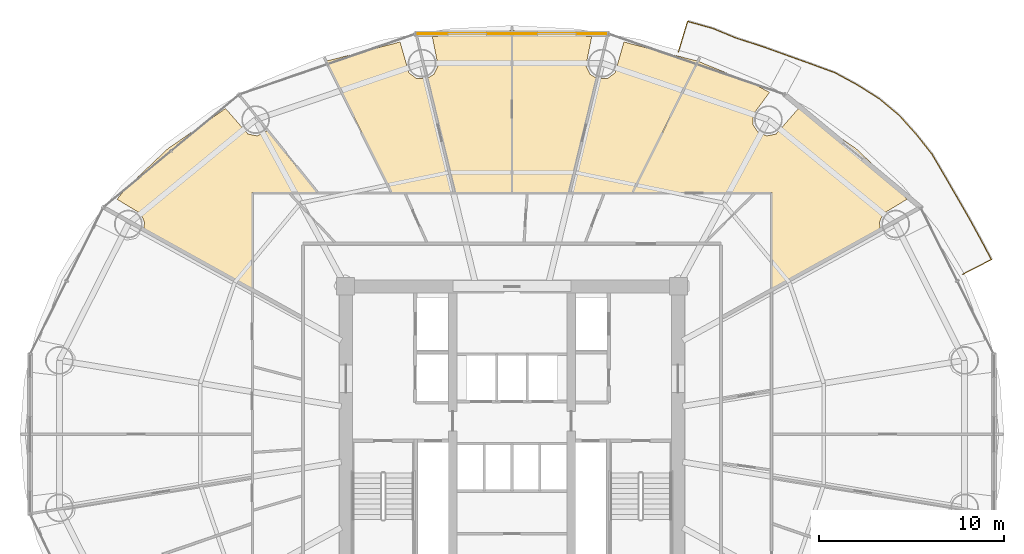
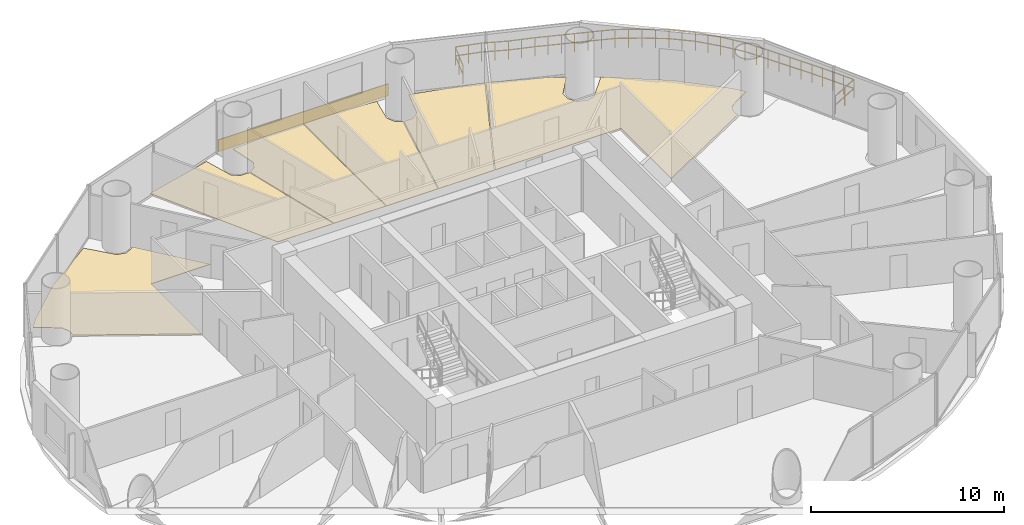
# One storey, part 29 of 29: 7 coverings, 1 railing.
"""IFC4 building model written with IfcOpenShell, lengths in metres."""

import ifcopenshell
import ifcopenshell.guid

model = None  # the IFC model being written
_history = None  # IfcOwnerHistory: only IFC2X3 demands one
_inside = {}  # id of a spatial element -> (the spatial element, [elements in it])
_under = {}  # id of a project, library or spatial element -> (it, [spatial elements below it])
_declared = {}  # id of a project -> (the project, [libraries it declares])
_typed = {}  # id of a type object -> (the type object, [elements of that type])
_made_of = {}  # id of a material, layer set ... -> (it, [elements and type objects made of it])


def new_model(schema):
    """Start an empty IFC model of exactly this schema.

    Asked for "IFC4X3", IfcOpenShell would pick the latest addendum, in which some entities
    have other attributes; the version numbers below select the first issue.
    IFC2X3 requires an IfcOwnerHistory on every rooted entity: one is made here for all.
    """
    global model, _history
    if schema == "IFC4X3":
        model = ifcopenshell.file(schema_version=(4, 3, 0, 0))
    else:
        model = ifcopenshell.file(schema=schema)
    _inside.clear()
    _under.clear()
    _declared.clear()
    _typed.clear()
    _made_of.clear()
    _history = None
    if model.schema == "IFC2X3":
        org = make("IfcOrganization", Name="unknown")
        user = make(
            "IfcPersonAndOrganization",
            ThePerson=make("IfcPerson", FamilyName="unknown"),
            TheOrganization=org,
        )
        app = make(
            "IfcApplication",
            ApplicationDeveloper=org,
            Version="unknown",
            ApplicationFullName="unknown",
            ApplicationIdentifier="unknown",
        )
        _history = make(
            "IfcOwnerHistory",
            OwningUser=user,
            OwningApplication=app,
            ChangeAction="ADDED",
            CreationDate=0,
        )
    return model


def make(cls, **values):
    """One entity of the class cls with the attributes given. An attribute that is None is left unset."""
    return model.create_entity(
        cls, **{name: value for name, value in values.items() if value is not None}
    )


def rooted(cls, **values):
    """An entity with a GlobalId (a new one), such as an element, a storey or a relation."""
    return make(cls, GlobalId=ifcopenshell.guid.new(), OwnerHistory=_history, **values)


def si_unit(unit_type, name, prefix=None):
    """IfcSIUnit, for example si_unit("LENGTHUNIT", "METRE", prefix="MILLI")."""
    return make("IfcSIUnit", UnitType=unit_type, Prefix=prefix, Name=name)


def assignment(units):
    """IfcUnitAssignment: the units of a project."""
    return None if units is None else make("IfcUnitAssignment", Units=units)


def point(xyz):
    """IfcCartesianPoint."""
    return None if xyz is None else make("IfcCartesianPoint", Coordinates=xyz)


def direction(xyz):
    """IfcDirection."""
    return None if xyz is None else make("IfcDirection", DirectionRatios=xyz)


def frame(location, z_axis=None, x_axis=None):
    """IfcAxis2Placement3D, a coordinate frame: its origin and axes. An axis left out is left unset."""
    return make(
        "IfcAxis2Placement3D",
        Location=point(location),
        Axis=direction(z_axis),
        RefDirection=direction(x_axis),
    )


def frame_2d(location, x_axis=None):
    """IfcAxis2Placement2D, a coordinate frame in the plane: its origin and x axis."""
    return make(
        "IfcAxis2Placement2D", Location=point(location), RefDirection=direction(x_axis)
    )


def origin():
    """The frame at (0, 0, 0) with its axes left unset."""
    return frame((0.0, 0.0, 0.0))


def origin_2d():
    """The frame at (0, 0) in the plane with its x axis left unset."""
    return frame_2d((0.0, 0.0))


def place(relative_to, where):
    """IfcLocalPlacement: puts the frame where relative to a parent placement (None: the world)."""
    return make(
        "IfcLocalPlacement", PlacementRelTo=relative_to, RelativePlacement=where
    )


def context(
    kind, dimensions, precision=None, world=None, true_north=None, identifier=None
):
    """IfcGeometricRepresentationContext, for example the 3D "Model" context."""
    return make(
        "IfcGeometricRepresentationContext",
        ContextIdentifier=identifier,
        ContextType=kind,
        CoordinateSpaceDimension=dimensions,
        Precision=precision,
        WorldCoordinateSystem=world,
        TrueNorth=true_north,
    )


def subcontext(parent, identifier, kind, view, scale=None):
    """IfcGeometricRepresentationSubContext, for example "Body" below "Model"."""
    return make(
        "IfcGeometricRepresentationSubContext",
        ContextIdentifier=identifier,
        ContextType=kind,
        ParentContext=parent,
        TargetScale=scale,
        TargetView=view,
    )


def project(units=None, contexts=None):
    """IfcProject with its units and contexts."""
    return rooted(
        "IfcProject",
        Name="project",
        RepresentationContexts=contexts,
        UnitsInContext=assignment(units),
    )


def spatial(cls, under=None, at=None, **own):
    """A site, building, storey or space (cls), placed at a placement, below another one or the project."""
    s = rooted(cls, ObjectPlacement=at, **own)
    if under is not None:
        _under.setdefault(under.id(), (under, []))[1].append(s)
    return s


def polyline(points):
    """IfcPolyline through the points."""
    return make("IfcPolyline", Points=[point(p) for p in points])


def profile(cls, at=None, kind="AREA", **sizes):
    """A parametric profile (cls). Its sizes go by their IFC names, for example OverallWidth=200.0."""
    return make(cls, ProfileType=kind, Position=at, **sizes)


def rectangle(**sizes):
    """IfcRectangleProfileDef."""
    return profile("IfcRectangleProfileDef", **sizes)


def outline(outer, holes=None, kind="AREA"):
    """IfcArbitraryClosedProfileDef: a profile drawn as a closed curve; with holes, ...WithVoids."""
    if holes is None:
        return make("IfcArbitraryClosedProfileDef", ProfileType=kind, OuterCurve=outer)
    return make(
        "IfcArbitraryProfileDefWithVoids",
        ProfileType=kind,
        OuterCurve=outer,
        InnerCurves=holes,
    )


def extrude(swept, where, along, depth):
    """IfcExtrudedAreaSolid: the profile swept, set in the frame where, extruded along a direction by depth."""
    return make(
        "IfcExtrudedAreaSolid",
        SweptArea=swept,
        Position=where,
        ExtrudedDirection=direction(along),
        Depth=depth,
    )


def shape(context_of_items, identifier, shape_type, items):
    """IfcShapeRepresentation: the items that make up one representation, for example the "Body"."""
    return make(
        "IfcShapeRepresentation",
        ContextOfItems=context_of_items,
        RepresentationIdentifier=identifier,
        RepresentationType=shape_type,
        Items=items,
    )


def source(mapping_origin, context_of_items, identifier, shape_type, items):
    """IfcRepresentationMap: a shape defined once, which mapped items show again and again."""
    return make(
        "IfcRepresentationMap",
        MappingOrigin=mapping_origin,
        MappedRepresentation=shape(context_of_items, identifier, shape_type, items),
    )


def transform(
    local_origin,
    x_axis=None,
    y_axis=None,
    z_axis=None,
    scale=None,
    scale2=None,
    scale3=None,
    uniform=True,
):
    """IfcCartesianTransformationOperator3D, or its non-uniform kind. x_axis, y_axis, z_axis: its Axis1, 2, 3."""
    if uniform:
        return make(
            "IfcCartesianTransformationOperator3D",
            Axis1=direction(x_axis),
            Axis2=direction(y_axis),
            LocalOrigin=point(local_origin),
            Scale=scale,
            Axis3=direction(z_axis),
        )
    return make(
        "IfcCartesianTransformationOperator3DnonUniform",
        Axis1=direction(x_axis),
        Axis2=direction(y_axis),
        LocalOrigin=point(local_origin),
        Scale=scale,
        Axis3=direction(z_axis),
        Scale2=scale2,
        Scale3=scale3,
    )


def mapped(mapping_source, mapping_target):
    """IfcMappedItem: shows the shape of a source again, moved by a transform."""
    return make(
        "IfcMappedItem", MappingSource=mapping_source, MappingTarget=mapping_target
    )


def material(Name=None, Category=None):
    """IfcMaterial."""
    return make("IfcMaterial", Name=Name, Category=Category)


def layer(
    of_material, thickness, ventilated=None, Name=None, Category=None, Priority=None
):
    """IfcMaterialLayer: one layer of a wall or slab, of a material (None: an air gap)."""
    return make(
        "IfcMaterialLayer",
        Material=of_material,
        LayerThickness=thickness,
        IsVentilated=ventilated,
        Name=Name,
        Category=Category,
        Priority=Priority,
    )


def layer_set(layers, Name=None):
    """IfcMaterialLayerSet."""
    return make("IfcMaterialLayerSet", MaterialLayers=layers, LayerSetName=Name)


def made_of(thing, what):
    """Note that an element or type object is made of a material, layer set ...; save() writes the relation."""
    if what is not None:
        _made_of.setdefault(what.id(), (what, []))[1].append(thing)
    return thing


def type_object(cls, material=None, **own):
    """A type object (cls), such as IfcWallType, which elements share."""
    return made_of(rooted(cls, **own), material)


def element(
    cls,
    number,
    at=None,
    inside=None,
    cuts=None,
    type_object=None,
    material=None,
    context=None,
    identifier="Body",
    shape_type=None,
    held_by="IfcProductDefinitionShape",
    body=None,
    shapes=None,
    **own,
):
    """One element of the class cls, such as IfcWall. Its Tag is "e" and its number.

    at: its placement. inside: the storey or other place that contains it. cuts: it is an
    opening in that element (IfcRelVoidsElement). A single representation is given by context,
    identifier, shape_type and body (its items); several are given by shapes. held_by: the class
    of the entity that holds the representations. save() writes the other relations.
    """
    e = rooted(cls, Tag="e%d" % number, ObjectPlacement=at, **own)
    if body is not None:
        shapes = [shape(context, identifier, shape_type, body)]
    if shapes is not None:
        e.Representation = make(held_by, Representations=shapes)
    if inside is not None:
        _inside.setdefault(inside.id(), (inside, []))[1].append(e)
    if cuts is not None:
        rooted(
            "IfcRelVoidsElement", RelatingBuildingElement=cuts, RelatedOpeningElement=e
        )
    if type_object is not None:
        _typed.setdefault(type_object.id(), (type_object, []))[1].append(e)
    return made_of(e, material)


def aggregate(whole, parts):
    """IfcRelAggregates: a whole, such as a stair, and the parts it consists of."""
    return rooted("IfcRelAggregates", RelatingObject=whole, RelatedObjects=parts)


def save(model, path):
    """Write the relations noted so far, then the file.

    IfcRelAggregates (storeys below a building ...), IfcRelContainedInSpatialStructure (elements
    in a storey), IfcRelDefinesByType, IfcRelAssociatesMaterial and IfcRelDeclares: one each for
    every whole, place, type object, material and project.
    """
    for whole, parts in _under.values():
        aggregate(whole, parts)
    for where, things in _inside.values():
        rooted(
            "IfcRelContainedInSpatialStructure",
            RelatedElements=things,
            RelatingStructure=where,
        )
    for kind, things in _typed.values():
        rooted("IfcRelDefinesByType", RelatedObjects=things, RelatingType=kind)
    for what, things in _made_of.values():
        rooted("IfcRelAssociatesMaterial", RelatedObjects=things, RelatingMaterial=what)
    for by, libraries in _declared.values():
        rooted("IfcRelDeclares", RelatingContext=by, RelatedDefinitions=libraries)
    model.write(path)


model = new_model("IFC4")

# Units and contexts
model_context = context("Model", 3, precision=1e-05, world=origin(), true_north=direction((-0.2419218956, 0.970295726276)))
body_context = subcontext(model_context, "Body", "Model", "MODEL_VIEW")
ifc_project = project(units=[si_unit("LENGTHUNIT", "METRE"), si_unit("AREAUNIT", "SQUARE_METRE"), si_unit("VOLUMEUNIT", "CUBIC_METRE"), si_unit("PLANEANGLEUNIT", "RADIAN"), si_unit("MASSUNIT", "GRAM", prefix="KILO")], contexts=[model_context])

# Site, building, storey
site_placement = place(None, origin())
site = spatial("IfcSite", under=ifc_project, at=site_placement, CompositionType="ELEMENT")
building_placement = place(site_placement, origin())
building = spatial("IfcBuilding", under=site, at=building_placement, Name="Cobrevalo Terracotta Tower", CompositionType="ELEMENT")
storey_placement = place(building_placement, frame((0.0, 0.0, 94.199951171875)))
storey = spatial("IfcBuildingStorey", under=building, at=storey_placement, Name="L24", CompositionType="ELEMENT", Elevation=94.199951171875)

# Railing
ifc_material_1 = material(Name="Laminated structural glass and stainless steel", Category="steel")
railing_type = type_object("IfcRailingType", Name="Balcony lobe structural glass & terracotta-cap balustrade 1180 mm", PredefinedType="BALUSTRADE", material=ifc_material_1)
railing_placement = place(storey_placement, frame((62.36376953125, 35.4404296875, 0.0)))
element("IfcRailing", 1, at=railing_placement, inside=storey, type_object=railing_type, Name="L24 spiralling balcony lobe balustrade 1", PredefinedType="BALUSTRADE", context=body_context, shape_type="SweptSolid", body=[
    extrude(rectangle(XDim=0.048095703125, YDim=0.048095703125, at=origin_2d()), frame((0.0, 0.0, 1.15576171875), z_axis=(0.889626848492, 0.456688154479, 0.0), x_axis=(-0.456688154479, 0.889626848492, 0.0)), (0.0, 0.0, 1.0), 1.74755859375),
    extrude(rectangle(XDim=0.048095703125, YDim=0.048095703125, at=origin_2d()), frame((0.0, 0.0, 0.58984375), z_axis=(0.889626848492, 0.456688154479, 0.0), x_axis=(-0.456688154479, 0.889626848492, 0.0)), (0.0, 0.0, 1.0), 1.74755859375),
    extrude(rectangle(XDim=0.048095703125, YDim=0.048095703125, at=origin_2d()), frame((1.5546875, 0.798095703125, 1.15576171875), z_axis=(-0.468633662304, 0.883392602729, 0.0), x_axis=(-0.883392602729, -0.468633662304, 0.0)), (0.0, 0.0, 1.0), 1.27783203125),
    extrude(rectangle(XDim=0.048095703125, YDim=0.048095703125, at=origin_2d()), frame((1.5546875, 0.798095703125, 0.58984375), z_axis=(-0.468633662304, 0.883392602729, 0.0), x_axis=(-0.883392602729, -0.468633662304, 0.0)), (0.0, 0.0, 1.0), 1.27783203125),
    extrude(rectangle(XDim=0.048095703125, YDim=0.048095703125, at=origin_2d()), frame((0.955810546875, 1.927001953125, 1.15576171875), z_axis=(-0.480426273641, 0.877035116512, 0.0), x_axis=(-0.877035116512, -0.480426273641, 0.0)), (0.0, 0.0, 1.0), 1.28173828125),
    extrude(rectangle(XDim=0.048095703125, YDim=0.048095703125, at=origin_2d()), frame((0.955810546875, 1.927001953125, 0.58984375), z_axis=(-0.480426273641, 0.877035116512, 0.0), x_axis=(-0.877035116512, -0.480426273641, 0.0)), (0.0, 0.0, 1.0), 1.28173828125),
    extrude(rectangle(XDim=0.048095703125, YDim=0.048095703125, at=origin_2d()), frame((0.340087890625, 3.051025390625, 1.15576171875), z_axis=(-0.499906209203, 0.866079547155, 0.0), x_axis=(-0.866079547155, -0.499906209203, 0.0)), (0.0, 0.0, 1.0), 1.303466796875),
    extrude(rectangle(XDim=0.048095703125, YDim=0.048095703125, at=origin_2d()), frame((0.340087890625, 3.051025390625, 0.58984375), z_axis=(-0.499906209203, 0.866079547155, 0.0), x_axis=(-0.866079547155, -0.499906209203, 0.0)), (0.0, 0.0, 1.0), 1.303466796875),
    extrude(rectangle(XDim=0.048095703125, YDim=0.048095703125, at=origin_2d()), frame((-0.3115234375, 4.179931640625, 1.15576171875), z_axis=(-0.499727743486, 0.866182534106, 0.0), x_axis=(-0.866182534106, -0.499727743486, 0.0)), (0.0, 0.0, 1.0), 1.331787109375),
    extrude(rectangle(XDim=0.048095703125, YDim=0.048095703125, at=origin_2d()), frame((-0.3115234375, 4.179931640625, 0.58984375), z_axis=(-0.499727743486, 0.866182534106, 0.0), x_axis=(-0.866182534106, -0.499727743486, 0.0)), (0.0, 0.0, 1.0), 1.331787109375),
    extrude(rectangle(XDim=0.048095703125, YDim=0.048095703125, at=origin_2d()), frame((-0.97705078125, 5.33349609375, 1.15576171875), z_axis=(-0.505608393494, 0.862763091717, 0.0), x_axis=(-0.862763091717, -0.505608393494, 0.0)), (0.0, 0.0, 1.0), 1.353515625),
    extrude(rectangle(XDim=0.048095703125, YDim=0.048095703125, at=origin_2d()), frame((-0.97705078125, 5.33349609375, 0.58984375), z_axis=(-0.505608393494, 0.862763091717, 0.0), x_axis=(-0.862763091717, -0.505608393494, 0.0)), (0.0, 0.0, 1.0), 1.353515625),
    extrude(rectangle(XDim=0.048095703125, YDim=0.048095703125, at=origin_2d()), frame((-1.661376953125, 6.501220703125, 1.15576171875), z_axis=(-0.621673458904, 0.783276522369, 0.0), x_axis=(-0.783276522369, -0.621673458904, 0.0)), (0.0, 0.0, 1.0), 1.371826171875),
    extrude(rectangle(XDim=0.048095703125, YDim=0.048095703125, at=origin_2d()), frame((-1.661376953125, 6.501220703125, 0.58984375), z_axis=(-0.621673458904, 0.783276522369, 0.0), x_axis=(-0.783276522369, -0.621673458904, 0.0)), (0.0, 0.0, 1.0), 1.371826171875),
    extrude(rectangle(XDim=0.048095703125, YDim=0.048095703125, at=origin_2d()), frame((-2.51416015625, 7.57568359375, 1.15576171875), z_axis=(-0.667846757462, 0.744298803269, 0.0), x_axis=(-0.744298803269, -0.667846757462, 0.0)), (0.0, 0.0, 1.0), 1.37646484375),
    extrude(rectangle(XDim=0.048095703125, YDim=0.048095703125, at=origin_2d()), frame((-2.51416015625, 7.57568359375, 0.58984375), z_axis=(-0.667846757462, 0.744298803269, 0.0), x_axis=(-0.744298803269, -0.667846757462, 0.0)), (0.0, 0.0, 1.0), 1.37646484375),
    extrude(rectangle(XDim=0.048095703125, YDim=0.048095703125, at=origin_2d()), frame((-3.433349609375, 8.60009765625, 1.15576171875), z_axis=(-0.767483730811, 0.641068422979, 0.0), x_axis=(-0.641068422979, -0.767483730811, 0.0)), (0.0, 0.0, 1.0), 1.384765625),
    extrude(rectangle(XDim=0.048095703125, YDim=0.048095703125, at=origin_2d()), frame((-3.433349609375, 8.60009765625, 0.58984375), z_axis=(-0.767483730811, 0.641068422979, 0.0), x_axis=(-0.641068422979, -0.767483730811, 0.0)), (0.0, 0.0, 1.0), 1.384765625),
    extrude(rectangle(XDim=0.048095703125, YDim=0.048095703125, at=origin_2d()), frame((-4.49609375, 9.48779296875, 1.15576171875), z_axis=(-0.84485848449, 0.534989851479, 0.0), x_axis=(-0.534989851479, -0.84485848449, 0.0)), (0.0, 0.0, 1.0), 1.400146484375),
    extrude(rectangle(XDim=0.048095703125, YDim=0.048095703125, at=origin_2d()), frame((-4.49609375, 9.48779296875, 0.58984375), z_axis=(-0.84485848449, 0.534989851479, 0.0), x_axis=(-0.534989851479, -0.84485848449, 0.0)), (0.0, 0.0, 1.0), 1.400146484375),
    extrude(rectangle(XDim=0.048095703125, YDim=0.048095703125, at=origin_2d()), frame((-5.678955078125, 10.23681640625, 1.15576171875), z_axis=(-0.87876519777, 0.477254363194, 0.0), x_axis=(-0.477254363194, -0.87876519777, 0.0)), (0.0, 0.0, 1.0), 1.392333984375),
    extrude(rectangle(XDim=0.048095703125, YDim=0.048095703125, at=origin_2d()), frame((-5.678955078125, 10.23681640625, 0.58984375), z_axis=(-0.87876519777, 0.477254363194, 0.0), x_axis=(-0.477254363194, -0.87876519777, 0.0)), (0.0, 0.0, 1.0), 1.392333984375),
    extrude(rectangle(XDim=0.048095703125, YDim=0.048095703125, at=origin_2d()), frame((-6.902587890625, 10.9013671875, 1.15576171875), z_axis=(-0.939278688067, 0.343155279929, 0.0), x_axis=(-0.343155279929, -0.939278688067, 0.0)), (0.0, 0.0, 1.0), 1.42919921875),
    extrude(rectangle(XDim=0.048095703125, YDim=0.048095703125, at=origin_2d()), frame((-6.902587890625, 10.9013671875, 0.58984375), z_axis=(-0.939278688067, 0.343155279929, 0.0), x_axis=(-0.343155279929, -0.939278688067, 0.0)), (0.0, 0.0, 1.0), 1.42919921875),
    extrude(rectangle(XDim=0.048095703125, YDim=0.048095703125, at=origin_2d()), frame((-8.2451171875, 11.391845703125, 1.15576171875), z_axis=(-0.941348762324, 0.337435190328, 0.0), x_axis=(-0.337435190328, -0.941348762324, 0.0)), (0.0, 0.0, 1.0), 1.4072265625),
    extrude(rectangle(XDim=0.048095703125, YDim=0.048095703125, at=origin_2d()), frame((-8.2451171875, 11.391845703125, 0.58984375), z_axis=(-0.941348762324, 0.337435190328, 0.0), x_axis=(-0.337435190328, -0.941348762324, 0.0)), (0.0, 0.0, 1.0), 1.4072265625),
    extrude(rectangle(XDim=0.048095703125, YDim=0.048095703125, at=origin_2d()), frame((-9.56982421875, 11.86669921875, 1.15576171875), z_axis=(-0.94131427038, 0.33753139762, 0.0), x_axis=(-0.33753139762, -0.94131427038, 0.0)), (0.0, 0.0, 1.0), 1.3974609375),
    extrude(rectangle(XDim=0.048095703125, YDim=0.048095703125, at=origin_2d()), frame((-9.56982421875, 11.86669921875, 0.58984375), z_axis=(-0.94131427038, 0.33753139762, 0.0), x_axis=(-0.33753139762, -0.94131427038, 0.0)), (0.0, 0.0, 1.0), 1.3974609375),
    extrude(rectangle(XDim=0.048095703125, YDim=0.048095703125, at=origin_2d()), frame((-10.88525390625, 12.33837890625, 1.15576171875), z_axis=(-0.952605632401, 0.304208003048, 0.0), x_axis=(-0.304208003048, -0.952605632401, 0.0)), (0.0, 0.0, 1.0), 1.404541015625),
    extrude(rectangle(XDim=0.048095703125, YDim=0.048095703125, at=origin_2d()), frame((-10.88525390625, 12.33837890625, 0.58984375), z_axis=(-0.952605632401, 0.304208003048, 0.0), x_axis=(-0.304208003048, -0.952605632401, 0.0)), (0.0, 0.0, 1.0), 1.404541015625),
    extrude(rectangle(XDim=0.048095703125, YDim=0.048095703125, at=origin_2d()), frame((-12.22314453125, 12.765625, 1.15576171875), z_axis=(-0.92446405432, 0.381269212329, 0.0), x_axis=(-0.381269212329, -0.92446405432, 0.0)), (0.0, 0.0, 1.0), 1.39453125),
    extrude(rectangle(XDim=0.048095703125, YDim=0.048095703125, at=origin_2d()), frame((-12.22314453125, 12.765625, 0.58984375), z_axis=(-0.92446405432, 0.381269212329, 0.0), x_axis=(-0.381269212329, -0.92446405432, 0.0)), (0.0, 0.0, 1.0), 1.39453125),
    extrude(rectangle(XDim=0.048095703125, YDim=0.048095703125, at=origin_2d()), frame((-13.512451171875, 13.29736328125, 1.15576171875), z_axis=(-0.963075353332, 0.269231988822, 0.0), x_axis=(-0.269231988822, -0.963075353332, 0.0)), (0.0, 0.0, 1.0), 1.410888671875),
    extrude(rectangle(XDim=0.048095703125, YDim=0.048095703125, at=origin_2d()), frame((-13.512451171875, 13.29736328125, 0.58984375), z_axis=(-0.963075353332, 0.269231988822, 0.0), x_axis=(-0.269231988822, -0.963075353332, 0.0)), (0.0, 0.0, 1.0), 1.410888671875),
    extrude(rectangle(XDim=0.048095703125, YDim=0.048095703125, at=origin_2d()), frame((-14.871337890625, 13.67724609375, 1.15576171875), z_axis=(-0.288046300776, -0.95761648305, 0.0), x_axis=(0.95761648305, -0.288046300776, 0.0)), (0.0, 0.0, 1.0), 1.731689453125),
    extrude(rectangle(XDim=0.048095703125, YDim=0.048095703125, at=origin_2d()), frame((-14.871337890625, 13.67724609375, 0.58984375), z_axis=(-0.288046300776, -0.95761648305, 0.0), x_axis=(0.95761648305, -0.288046300776, 0.0)), (0.0, 0.0, 1.0), 1.731689453125),
    extrude(rectangle(XDim=0.0419921875, YDim=0.0419921875, at=origin_2d()), origin(), (0.0, 0.0, 1.0), 1.1318359375),
    extrude(rectangle(XDim=0.0419921875, YDim=0.0419921875, at=origin_2d()), frame((0.77734375, 0.39892578125, 0.0)), (0.0, 0.0, 1.0), 1.1318359375),
    extrude(rectangle(XDim=0.0419921875, YDim=0.0419921875, at=origin_2d()), frame((1.5546875, 0.798095703125, 0.0)), (0.0, 0.0, 1.0), 1.1318359375),
    extrude(rectangle(XDim=0.0419921875, YDim=0.0419921875, at=origin_2d()), frame((1.25537109375, 1.362548828125, 0.0)), (0.0, 0.0, 1.0), 1.1318359375),
    extrude(rectangle(XDim=0.0419921875, YDim=0.0419921875, at=origin_2d()), frame((0.955810546875, 1.927001953125, 0.0)), (0.0, 0.0, 1.0), 1.1318359375),
    extrude(rectangle(XDim=0.0419921875, YDim=0.0419921875, at=origin_2d()), frame((0.64794921875, 2.489013671875, 0.0)), (0.0, 0.0, 1.0), 1.1318359375),
    extrude(rectangle(XDim=0.0419921875, YDim=0.0419921875, at=origin_2d()), frame((0.340087890625, 3.051025390625, 0.0)), (0.0, 0.0, 1.0), 1.1318359375),
    extrude(rectangle(XDim=0.0419921875, YDim=0.0419921875, at=origin_2d()), frame((0.01416015625, 3.615478515625, 0.0)), (0.0, 0.0, 1.0), 1.1318359375),
    extrude(rectangle(XDim=0.0419921875, YDim=0.0419921875, at=origin_2d()), frame((-0.3115234375, 4.179931640625, 0.0)), (0.0, 0.0, 1.0), 1.1318359375),
    extrude(rectangle(XDim=0.0419921875, YDim=0.0419921875, at=origin_2d()), frame((-0.644287109375, 4.7568359375, 0.0)), (0.0, 0.0, 1.0), 1.1318359375),
    extrude(rectangle(XDim=0.0419921875, YDim=0.0419921875, at=origin_2d()), frame((-0.97705078125, 5.33349609375, 0.0)), (0.0, 0.0, 1.0), 1.1318359375),
    extrude(rectangle(XDim=0.0419921875, YDim=0.0419921875, at=origin_2d()), frame((-1.3193359375, 5.91748046875, 0.0)), (0.0, 0.0, 1.0), 1.1318359375),
    extrude(rectangle(XDim=0.0419921875, YDim=0.0419921875, at=origin_2d()), frame((-1.661376953125, 6.501220703125, 0.0)), (0.0, 0.0, 1.0), 1.1318359375),
    extrude(rectangle(XDim=0.0419921875, YDim=0.0419921875, at=origin_2d()), frame((-2.087890625, 7.03857421875, 0.0)), (0.0, 0.0, 1.0), 1.1318359375),
    extrude(rectangle(XDim=0.0419921875, YDim=0.0419921875, at=origin_2d()), frame((-2.51416015625, 7.57568359375, 0.0)), (0.0, 0.0, 1.0), 1.1318359375),
    extrude(rectangle(XDim=0.0419921875, YDim=0.0419921875, at=origin_2d()), frame((-2.9736328125, 8.087890625, 0.0)), (0.0, 0.0, 1.0), 1.1318359375),
    extrude(rectangle(XDim=0.0419921875, YDim=0.0419921875, at=origin_2d()), frame((-3.433349609375, 8.60009765625, 0.0)), (0.0, 0.0, 1.0), 1.1318359375),
    extrude(rectangle(XDim=0.0419921875, YDim=0.0419921875, at=origin_2d()), frame((-3.96484375, 9.0439453125, 0.0)), (0.0, 0.0, 1.0), 1.1318359375),
    extrude(rectangle(XDim=0.0419921875, YDim=0.0419921875, at=origin_2d()), frame((-4.49609375, 9.48779296875, 0.0)), (0.0, 0.0, 1.0), 1.1318359375),
    extrude(rectangle(XDim=0.0419921875, YDim=0.0419921875, at=origin_2d()), frame((-5.08740234375, 9.8623046875, 0.0)), (0.0, 0.0, 1.0), 1.1318359375),
    extrude(rectangle(XDim=0.0419921875, YDim=0.0419921875, at=origin_2d()), frame((-5.678955078125, 10.23681640625, 0.0)), (0.0, 0.0, 1.0), 1.1318359375),
    extrude(rectangle(XDim=0.0419921875, YDim=0.0419921875, at=origin_2d()), frame((-6.290771484375, 10.569091796875, 0.0)), (0.0, 0.0, 1.0), 1.1318359375),
    extrude(rectangle(XDim=0.0419921875, YDim=0.0419921875, at=origin_2d()), frame((-6.902587890625, 10.9013671875, 0.0)), (0.0, 0.0, 1.0), 1.1318359375),
    extrude(rectangle(XDim=0.0419921875, YDim=0.0419921875, at=origin_2d()), frame((-7.57373046875, 11.146484375, 0.0)), (0.0, 0.0, 1.0), 1.1318359375),
    extrude(rectangle(XDim=0.0419921875, YDim=0.0419921875, at=origin_2d()), frame((-8.2451171875, 11.391845703125, 0.0)), (0.0, 0.0, 1.0), 1.1318359375),
    extrude(rectangle(XDim=0.0419921875, YDim=0.0419921875, at=origin_2d()), frame((-8.907470703125, 11.62939453125, 0.0)), (0.0, 0.0, 1.0), 1.1318359375),
    extrude(rectangle(XDim=0.0419921875, YDim=0.0419921875, at=origin_2d()), frame((-9.56982421875, 11.86669921875, 0.0)), (0.0, 0.0, 1.0), 1.1318359375),
    extrude(rectangle(XDim=0.0419921875, YDim=0.0419921875, at=origin_2d()), frame((-10.2275390625, 12.1025390625, 0.0)), (0.0, 0.0, 1.0), 1.1318359375),
    extrude(rectangle(XDim=0.0419921875, YDim=0.0419921875, at=origin_2d()), frame((-10.88525390625, 12.33837890625, 0.0)), (0.0, 0.0, 1.0), 1.1318359375),
    extrude(rectangle(XDim=0.0419921875, YDim=0.0419921875, at=origin_2d()), frame((-11.55419921875, 12.552001953125, 0.0)), (0.0, 0.0, 1.0), 1.1318359375),
    extrude(rectangle(XDim=0.0419921875, YDim=0.0419921875, at=origin_2d()), frame((-12.22314453125, 12.765625, 0.0)), (0.0, 0.0, 1.0), 1.1318359375),
    extrude(rectangle(XDim=0.0419921875, YDim=0.0419921875, at=origin_2d()), frame((-12.86767578125, 13.031494140625, 0.0)), (0.0, 0.0, 1.0), 1.1318359375),
    extrude(rectangle(XDim=0.0419921875, YDim=0.0419921875, at=origin_2d()), frame((-13.512451171875, 13.29736328125, 0.0)), (0.0, 0.0, 1.0), 1.1318359375),
    extrude(rectangle(XDim=0.0419921875, YDim=0.0419921875, at=origin_2d()), frame((-14.19189453125, 13.4873046875, 0.0)), (0.0, 0.0, 1.0), 1.1318359375),
    extrude(rectangle(XDim=0.0419921875, YDim=0.0419921875, at=origin_2d()), frame((-14.871337890625, 13.67724609375, 0.0)), (0.0, 0.0, 1.0), 1.1318359375),
    extrude(rectangle(XDim=0.0419921875, YDim=0.0419921875, at=origin_2d()), frame((-15.12060546875, 12.84814453125, 0.0)), (0.0, 0.0, 1.0), 1.1318359375),
    extrude(rectangle(XDim=0.0419921875, YDim=0.0419921875, at=origin_2d()), frame((-15.3701171875, 12.01904296875, 0.0)), (0.0, 0.0, 1.0), 1.1318359375),
])

# Coverings
ifc_material_2 = material(Name="Engineered Brazilian hardwood flooring", Category="wood")
ifc_layer_1 = layer(ifc_material_2, 0.028076171875)
ifc_layer_set_1 = layer_set([ifc_layer_1], Name="Engineered Brazilian hardwood flooring")
covering_type_1 = type_object("IfcCoveringType", Name="Engineered Hardwood Suite Flooring 28", PredefinedType="FLOORING", material=ifc_layer_set_1)
covering_1_placement = place(storey_placement, origin())
element("IfcCovering", 2, at=covering_1_placement, inside=storey, type_object=covering_type_1, Name="Flat L24A Living and Dining Room floor finish", PredefinedType="FLOORING", context=body_context, shape_type="SweptSolid", body=[
    extrude(outline(polyline([(51.161376953125, 45.696044921875), (51.92431640625, 45.273193359375), (51.0185546875, 44.05615234375), (51.02001953125, 43.54541015625), (51.305419921875, 43.121337890625), (51.778076171875, 42.927490234375), (52.27880859375, 43.02880859375), (53.488525390625, 44.40673828125), (56.6123046875, 42.227783203125), (58.882080078125, 40.081787109375), (59.35302734375, 39.49755859375), (58.05908203125, 38.712890625), (57.868408203125, 38.23876953125), (57.916259765625, 37.879150390625), (52.054931640625, 34.62548828125), (52.054931640625, 39.85498046875), (44.531005859375, 39.85498046875), (48.07177734375, 46.95703125), (51.161376953125, 45.696044921875)])), origin(), (0.0, 0.0, 1.0), 0.030029296875),
])
covering_2_placement = place(storey_placement, origin())
element("IfcCovering", 3, at=covering_2_placement, inside=storey, type_object=covering_type_1, Name="Flat L24A Master Bedroom floor finish", PredefinedType="FLOORING", context=body_context, shape_type="SweptSolid", body=[
    extrude(outline(polyline([(48.033447265625, 46.9697265625), (44.486328125, 39.85498046875), (41.146240234375, 39.85498046875), (42.62109375, 46.015380859375), (43.170166015625, 46.030517578125), (43.578125, 46.337890625), (44.05078125, 48.001953125), (48.033447265625, 46.9697265625)])), origin(), (0.0, 0.0, 1.0), 0.030029296875),
])
covering_3_placement = place(storey_placement, origin())
element("IfcCovering", 4, at=covering_3_placement, inside=storey, type_object=covering_type_1, Name="Flat L24A Principal Guest Bedroom floor finish", PredefinedType="FLOORING", context=body_context, shape_type="SweptSolid", body=[
    extrude(outline(polyline([(42.3095703125, 48.2890625), (41.997802734375, 46.721435546875), (42.2197265625, 46.26123046875), (42.5830078125, 46.028564453125), (41.10498046875, 39.85498046875), (38.02001953125, 39.85498046875), (38.02001953125, 48.618896484375), (42.3095703125, 48.2890625)])), origin(), (0.0, 0.0, 1.0), 0.030029296875),
])
covering_4_placement = place(storey_placement, origin())
element("IfcCovering", 5, at=covering_4_placement, inside=storey, type_object=covering_type_1, Name="Flat L24A North Bedroom floor finish", PredefinedType="FLOORING", context=body_context, shape_type="SweptSolid", body=[
    extrude(outline(polyline([(37.97998046875, 48.618896484375), (37.97998046875, 39.85498046875), (34.89501953125, 39.85498046875), (33.4169921875, 46.028564453125), (33.7802734375, 46.26123046875), (34.002197265625, 46.721435546875), (33.6904296875, 48.2890625), (37.97998046875, 48.618896484375)])), origin(), (0.0, 0.0, 1.0), 0.030029296875),
])
covering_5_placement = place(storey_placement, origin())
element("IfcCovering", 6, at=covering_5_placement, inside=storey, type_object=covering_type_1, Name="Flat L24A South Bedroom floor finish", PredefinedType="FLOORING", context=body_context, shape_type="SweptSolid", body=[
    extrude(outline(polyline([(31.94921875, 48.001953125), (32.421875, 46.337890625), (32.829833984375, 46.030517578125), (33.37890625, 46.015380859375), (34.853759765625, 39.85498046875), (31.513671875, 39.85498046875), (27.966552734375, 46.9697265625), (31.94921875, 48.001953125)])), origin(), (0.0, 0.0, 1.0), 0.030029296875),
])
covering_6_placement = place(storey_placement, origin())
element("IfcCovering", 7, at=covering_6_placement, inside=storey, type_object=covering_type_1, Name="Flat L24A Penthouse Family Lounge floor finish", PredefinedType="FLOORING", context=body_context, shape_type="SweptSolid", body=[
    extrude(outline(polyline([(22.511474609375, 44.40673828125), (23.72119140625, 43.02880859375), (24.221923828125, 42.927490234375), (24.780029296875, 43.2060546875), (27.47509765625, 39.85498046875), (23.945068359375, 39.85498046875), (23.945068359375, 34.62548828125), (18.083740234375, 37.879150390625), (18.131591796875, 38.23876953125), (17.94091796875, 38.712890625), (16.64697265625, 39.49755859375), (17.117919921875, 40.081787109375), (19.3876953125, 42.227783203125), (22.511474609375, 44.40673828125)])), origin(), (0.0, 0.0, 1.0), 0.030029296875),
])
ifc_material_3 = material(Name="Glazed terracotta facade cladding tile", Category="masonry")
ifc_layer_2 = layer(ifc_material_3, 0.044921875)
ifc_layer_set_2 = layer_set([ifc_layer_2], Name="Glazed terracotta facade cladding tile")
covering_type_2 = type_object("IfcCoveringType", Name="Architectural terracotta rainscreen spandrel cladding 45 mm", PredefinedType="CLADDING", material=ifc_layer_set_2)
shared_shape = source(origin(), body_context, "Body", "SweptSolid", [
    extrude(rectangle(XDim=10.1669921875, YDim=0.044921875, at=origin_2d()), origin(), (0.0, 0.0, 1.0), 0.760009765625),
])
covering_7_placement = place(storey_placement, frame((38.0, 48.446044921875, 0.0400390625), z_axis=(0.0, 0.0, 1.0), x_axis=(-1.0, 0.0, 0.0)))
element("IfcCovering", 8, at=covering_7_placement, inside=storey, type_object=covering_type_2, Name="L24 terracotta spandrel cladding S04", PredefinedType="CLADDING", context=body_context, shape_type="MappedRepresentation", body=[
    mapped(shared_shape, transform((0.0, 0.0, 0.0), scale=1.0)),
])

save(model, "model.ifc")
